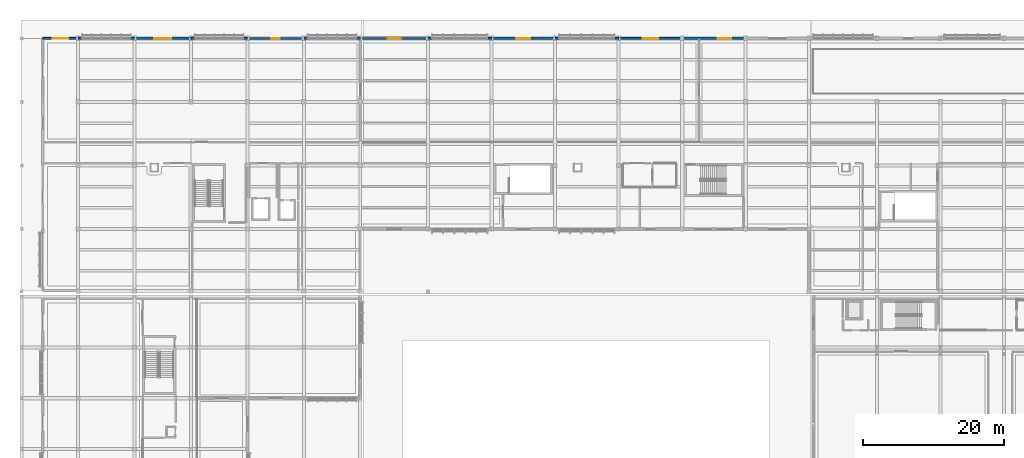
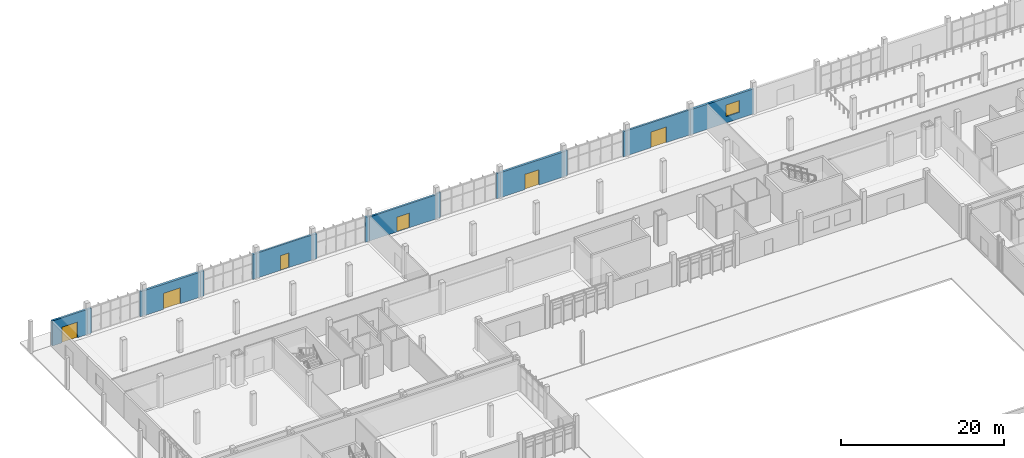
# One storey, part 130 of 151: 17 walls, 6 doors, 1 window, 7 openings.
"""IFC4 building model written with IfcOpenShell, lengths in metres."""

from ifc_helpers import new_model, si_unit, direction, frame, frame_2d, origin, place, context, subcontext, project, spatial, rectangle, extrude, material, layer, layer_set, type_object, element, fill, save


model = new_model("IFC4")

# Units and contexts
model_context = context("Model", 3, precision=1e-05, world=origin(), true_north=direction((0.0, 1.0)))
body_context = subcontext(model_context, "Body", "Model", "MODEL_VIEW")
ifc_project = project(units=[si_unit("LENGTHUNIT", "METRE"), si_unit("AREAUNIT", "SQUARE_METRE"), si_unit("VOLUMEUNIT", "CUBIC_METRE"), si_unit("PLANEANGLEUNIT", "RADIAN"), si_unit("MASSUNIT", "GRAM", prefix="KILO")], contexts=[model_context])

# Site, building, storey
site_placement = place(None, origin())
site = spatial("IfcSite", under=ifc_project, at=site_placement, CompositionType="ELEMENT")
building_placement = place(site_placement, origin())
building = spatial("IfcBuilding", under=site, at=building_placement, Name="Chiffa Square Polytechnic", CompositionType="ELEMENT")
storey_placement = place(building_placement, origin())
storey = spatial("IfcBuildingStorey", under=building, at=storey_placement, Name="L00", CompositionType="ELEMENT", Elevation=0.0)

# Wall, opening, door
ifc_material_1 = material(Name="Precast concrete C40/50", Category="concrete")
ifc_layer_1 = layer(ifc_material_1, 0.260009765625, Name="Precast concrete C40/50")
ifc_layer_set_1 = layer_set([ifc_layer_1], Name="Precast concrete C40/50")
wall_type_1 = type_object("IfcWallType", Name="WL-EXT-PC260", PredefinedType="SOLIDWALL", material=ifc_layer_set_1)
wall_1_placement = place(storey_placement, frame((93.60009765625, 130.800048828125, 0.0), z_axis=(0.0, 0.0, 1.0), x_axis=(-1.0, 0.0, 0.0)))
wall_1 = element("IfcWall", 1, at=wall_1_placement, inside=storey, type_object=wall_type_1, Name="Exterior wall WE-V5-L00-0242", PredefinedType="SOLIDWALL", context=body_context, shape_type="SweptSolid", body=[
    extrude(rectangle(XDim=9.0, YDim=0.260009765625, at=frame_2d((4.5, 0.0))), origin(), (0.0, 0.0, 1.0), 3.7548828125),
])
opening_1_placement = place(wall_1_placement, frame((3.39990234375, 0.0, 0.0)))
opening_1 = element("IfcOpeningElement", 2, at=opening_1_placement, cuts=wall_1, Name="Opening DE-L00-051", PredefinedType="OPENING", context=body_context, shape_type="SweptSolid", body=[
    extrude(rectangle(XDim=2.199951171875, YDim=2.35009765625, at=frame_2d((1.10009765625, 1.175048828125))), frame((0.0, 0.14013671875, 0.0), z_axis=(0.0, -1.0, 0.0), x_axis=(1.0, 0.0, 0.0)), (0.0, 0.0, 1.0), 0.280029296875),
])
ifc_material_2 = material(Name="Aluminium and laminated safety glass", Category="aluminium")
door_type_1 = type_object("IfcDoorType", Name="DR-EXIT-DBL-2200", OperationType="DOUBLE_DOOR_SINGLE_SWING", PredefinedType="DOOR", material=ifc_material_2)
door_1_placement = place(opening_1_placement, origin())
door_1 = element("IfcDoor", 3, at=door_1_placement, inside=storey, type_object=door_type_1, Name="Exterior door DE-L00-051", OperationType="DOUBLE_DOOR_SINGLE_SWING", OverallHeight=2.35009765625, OverallWidth=2.199951171875, PredefinedType="DOOR", context=body_context, shape_type="SweptSolid", body=[
    extrude(rectangle(XDim=2.199951171875, YDim=2.35009765625, at=frame_2d((1.10009765625, 1.175048828125))), frame((0.0, 0.02490234375, 0.0), z_axis=(0.0, -1.0, 0.0), x_axis=(1.0, 0.0, 0.0)), (0.0, 0.0, 1.0), 0.050048828125),
])
fill(opening_1, door_1)

# Walls
wall_2_placement = place(storey_placement, frame((66.60009765625, 130.800048828125, 0.0), z_axis=(0.0, 0.0, 1.0), x_axis=(-1.0, 0.0, 0.0)))
element("IfcWall", 4, at=wall_2_placement, inside=storey, type_object=wall_type_1, Name="Facade column pier V5-L00-0245L", PredefinedType="SOLIDWALL", context=body_context, shape_type="SweptSolid", body=[
    extrude(rectangle(XDim=0.5400390625, YDim=0.260009765625, at=frame_2d((0.27001953125, 0.0))), origin(), (0.0, 0.0, 1.0), 3.7548828125),
])
wall_3_placement = place(storey_placement, frame((58.139892578125, 130.800048828125, 0.0), z_axis=(0.0, 0.0, 1.0), x_axis=(-1.0, 0.0, 0.0)))
element("IfcWall", 5, at=wall_3_placement, inside=storey, type_object=wall_type_1, Name="Facade column pier V5-L00-0245R", PredefinedType="SOLIDWALL", context=body_context, shape_type="SweptSolid", body=[
    extrude(rectangle(XDim=0.539794921875, YDim=0.260009765625, at=frame_2d((0.27001953125, 0.0))), origin(), (0.0, 0.0, 1.0), 3.7548828125),
])

# Wall, opening, door
wall_4_placement = place(storey_placement, frame((40.0, 130.800048828125, 0.0), z_axis=(0.0, 0.0, 1.0), x_axis=(-1.0, 0.0, 0.0)))
wall_4 = element("IfcWall", 6, at=wall_4_placement, inside=storey, type_object=wall_type_1, Name="Exterior wall WE-V5-L00-0248", PredefinedType="SOLIDWALL", context=body_context, shape_type="SweptSolid", body=[
    extrude(rectangle(XDim=8.0, YDim=0.260009765625, at=frame_2d((4.0, 0.0))), origin(), (0.0, 0.0, 1.0), 3.7548828125),
])
opening_2_placement = place(wall_4_placement, frame((3.39990234375, 0.0, 0.0)))
opening_2 = element("IfcOpeningElement", 7, at=opening_2_placement, cuts=wall_4, Name="Opening DE-L00-054", PredefinedType="OPENING", context=body_context, shape_type="SweptSolid", body=[
    extrude(rectangle(XDim=1.199951171875, YDim=2.199951171875, at=frame_2d((0.60009765625, 1.10009765625))), frame((0.0, 0.14013671875, 0.0), z_axis=(0.0, -1.0, 0.0), x_axis=(1.0, 0.0, 0.0)), (0.0, 0.0, 1.0), 0.280029296875),
])
ifc_material_3 = material(Name="Painted galvanized steel", Category="steel")
door_type_2 = type_object("IfcDoorType", Name="DR-EXT-SVC-1200", OperationType="NOTDEFINED", PredefinedType="DOOR", material=ifc_material_3)
door_2_placement = place(opening_2_placement, origin())
door_2 = element("IfcDoor", 8, at=door_2_placement, inside=storey, type_object=door_type_2, Name="Exterior door DE-L00-054", OperationType="SINGLE_SWING_LEFT", OverallHeight=2.199951171875, OverallWidth=1.199951171875, PredefinedType="DOOR", context=body_context, shape_type="SweptSolid", body=[
    extrude(rectangle(XDim=1.199951171875, YDim=2.199951171875, at=frame_2d((0.60009765625, 1.10009765625))), frame((0.0, 0.02490234375, 0.0), z_axis=(0.0, -1.0, 0.0), x_axis=(1.0, 0.0, 0.0)), (0.0, 0.0, 1.0), 0.050048828125),
])
fill(opening_2, door_2)

# Walls
for number, where, z_axis, x_axis, name in (
    (9, (16.0, 130.800048828125, 0.0), (0.0, 0.0, 1.0), (-1.0, 0.0, 0.0), "Facade column pier V5-L00-0251L"),
    (10, (8.5400390625, 130.800048828125, 0.0), (0.0, 0.0, 1.0), (-1.0, 0.0, 0.0), "Facade column pier V5-L00-0251R"),
):
    element("IfcWall", number, at=place(storey_placement, frame(where, z_axis=z_axis, x_axis=x_axis)), inside=storey, type_object=wall_type_1, Name=name, PredefinedType="SOLIDWALL", context=body_context, shape_type="SweptSolid", body=[
        extrude(rectangle(XDim=0.5400390625, YDim=0.260009765625, at=frame_2d((0.27001953125, 0.0))), origin(), (0.0, 0.0, 1.0), 3.7548828125),
    ])
ifc_layer_2 = layer(ifc_material_1, 0.280029296875, Name="Precast concrete C40/50")
ifc_layer_set_2 = layer_set([ifc_layer_2], Name="Precast concrete C40/50")
wall_type_2 = type_object("IfcWallType", Name="WL-EXT-PC280", PredefinedType="SOLIDWALL", material=ifc_layer_set_2)
wall_5_placement = place(storey_placement, frame((84.60009765625, 130.800048828125, 0.0), z_axis=(0.0, 0.0, 1.0), x_axis=(-1.0, 0.0, 0.0)))
element("IfcWall", 11, at=wall_5_placement, inside=storey, type_object=wall_type_2, Name="Facade column pier V5-L00-0243L", PredefinedType="SOLIDWALL", context=body_context, shape_type="SweptSolid", body=[
    extrude(rectangle(XDim=0.5400390625, YDim=0.280029296875, at=frame_2d((0.27001953125, 0.0))), origin(), (0.0, 0.0, 1.0), 3.7548828125),
])
wall_6_placement = place(storey_placement, frame((76.139892578125, 130.800048828125, 0.0), z_axis=(0.0, 0.0, 1.0), x_axis=(-1.0, 0.0, 0.0)))
element("IfcWall", 12, at=wall_6_placement, inside=storey, type_object=wall_type_2, Name="Facade column pier V5-L00-0243R", PredefinedType="SOLIDWALL", context=body_context, shape_type="SweptSolid", body=[
    extrude(rectangle(XDim=0.539794921875, YDim=0.280029296875, at=frame_2d((0.27001953125, 0.0))), origin(), (0.0, 0.0, 1.0), 3.7548828125),
])

# Wall, opening, door
wall_7_placement = place(storey_placement, frame((57.60009765625, 130.800048828125, 0.0), z_axis=(0.0, 0.0, 1.0), x_axis=(-1.0, 0.0, 0.0)))
wall_7 = element("IfcWall", 13, at=wall_7_placement, inside=storey, type_object=wall_type_2, Name="Exterior wall WE-V5-L00-0246", PredefinedType="SOLIDWALL", context=body_context, shape_type="SweptSolid", body=[
    extrude(rectangle(XDim=9.60009765625, YDim=0.280029296875, at=frame_2d((4.800048828125, 0.0))), origin(), (0.0, 0.0, 1.0), 3.60498046875),
])
opening_3_placement = place(wall_7_placement, frame((3.89990234375, 0.0, 0.0)))
opening_3 = element("IfcOpeningElement", 14, at=opening_3_placement, cuts=wall_7, Name="Opening DE-L00-053", PredefinedType="OPENING", context=body_context, shape_type="SweptSolid", body=[
    extrude(rectangle(XDim=1.800048828125, YDim=2.199951171875, at=frame_2d((0.89990234375, 1.10009765625))), frame((0.0, 0.14990234375, 0.0), z_axis=(0.0, -1.0, 0.0), x_axis=(1.0, 0.0, 0.0)), (0.0, 0.0, 1.0), 0.300048828125),
])
door_type_3 = type_object("IfcDoorType", Name="DR-EXIT-DBL-1800", OperationType="DOUBLE_DOOR_SINGLE_SWING", PredefinedType="DOOR", material=ifc_material_3)
door_3_placement = place(opening_3_placement, origin())
door_3 = element("IfcDoor", 15, at=door_3_placement, inside=storey, type_object=door_type_3, Name="Exterior door DE-L00-053", OperationType="DOUBLE_DOOR_SINGLE_SWING", OverallHeight=2.199951171875, OverallWidth=1.800048828125, PredefinedType="DOOR", context=body_context, shape_type="SweptSolid", body=[
    extrude(rectangle(XDim=1.800048828125, YDim=2.199951171875, at=frame_2d((0.89990234375, 1.10009765625))), frame((0.0, 0.02490234375, 0.0), z_axis=(0.0, -1.0, 0.0), x_axis=(1.0, 0.0, 0.0)), (0.0, 0.0, 1.0), 0.050048828125),
])
fill(opening_3, door_3)

# Walls
for number, where, z_axis, x_axis, name in (
    (16, (32.0, 130.800048828125, 0.0), (0.0, 0.0, 1.0), (-1.0, 0.0, 0.0), "Facade column pier V5-L00-0249L"),
    (17, (24.5400390625, 130.800048828125, 0.0), (0.0, 0.0, 1.0), (-1.0, 0.0, 0.0), "Facade column pier V5-L00-0249R"),
):
    element("IfcWall", number, at=place(storey_placement, frame(where, z_axis=z_axis, x_axis=x_axis)), inside=storey, type_object=wall_type_2, Name=name, PredefinedType="SOLIDWALL", context=body_context, shape_type="SweptSolid", body=[
        extrude(rectangle(XDim=0.5400390625, YDim=0.280029296875, at=frame_2d((0.27001953125, 0.0))), origin(), (0.0, 0.0, 1.0), 3.7548828125),
    ])

# Wall, opening, door
wall_8_placement = place(storey_placement, frame((8.0, 130.800048828125, 0.0), z_axis=(0.0, 0.0, 1.0), x_axis=(-1.0, 0.0, 0.0)))
wall_8 = element("IfcWall", 18, at=wall_8_placement, inside=storey, type_object=wall_type_2, Name="Exterior wall WE-V5-L00-0252", PredefinedType="SOLIDWALL", context=body_context, shape_type="SweptSolid", body=[
    extrude(rectangle(XDim=5.0, YDim=0.280029296875, at=frame_2d((2.5, 0.0))), origin(), (0.0, 0.0, 1.0), 3.7548828125),
])
opening_4_placement = place(wall_8_placement, frame((1.39990234375, 0.0, 0.0)))
opening_4 = element("IfcOpeningElement", 19, at=opening_4_placement, cuts=wall_8, Name="Opening DE-L00-056", PredefinedType="OPENING", context=body_context, shape_type="SweptSolid", body=[
    extrude(rectangle(XDim=2.199951171875, YDim=2.35009765625, at=frame_2d((1.10009765625, 1.175048828125))), frame((0.0, 0.14990234375, 0.0), z_axis=(0.0, -1.0, 0.0), x_axis=(1.0, 0.0, 0.0)), (0.0, 0.0, 1.0), 0.300048828125),
])
door_4_placement = place(opening_4_placement, origin())
door_4 = element("IfcDoor", 20, at=door_4_placement, inside=storey, type_object=door_type_1, Name="Exterior door DE-L00-056", OperationType="DOUBLE_DOOR_SINGLE_SWING", OverallHeight=2.35009765625, OverallWidth=2.199951171875, PredefinedType="DOOR", context=body_context, shape_type="SweptSolid", body=[
    extrude(rectangle(XDim=2.199951171875, YDim=2.35009765625, at=frame_2d((1.10009765625, 1.175048828125))), frame((0.0, 0.02490234375, 0.0), z_axis=(0.0, -1.0, 0.0), x_axis=(1.0, 0.0, 0.0)), (0.0, 0.0, 1.0), 0.050048828125),
])
fill(opening_4, door_4)

# Wall, opening, window
ifc_layer_3 = layer(ifc_material_1, 0.320068359375, Name="Precast concrete C40/50")
ifc_layer_set_3 = layer_set([ifc_layer_3], Name="Precast concrete C40/50")
wall_type_3 = type_object("IfcWallType", Name="WL-EXT-PC320", PredefinedType="SOLIDWALL", material=ifc_layer_set_3)
wall_9_placement = place(storey_placement, frame((102.60009765625, 130.800048828125, 0.0), z_axis=(0.0, 0.0, 1.0), x_axis=(-1.0, 0.0, 0.0)))
wall_9 = element("IfcWall", 21, at=wall_9_placement, inside=storey, type_object=wall_type_3, Name="Exterior wall WE-V5-L00-0241", PredefinedType="SOLIDWALL", context=body_context, shape_type="SweptSolid", body=[
    extrude(rectangle(XDim=9.0, YDim=0.320068359375, at=frame_2d((4.5, 0.0))), origin(), (0.0, 0.0, 1.0), 3.7548828125),
])
opening_5_placement = place(wall_9_placement, frame((2.02490234375, 0.0, 0.949951171875)))
opening_5 = element("IfcOpeningElement", 22, at=opening_5_placement, cuts=wall_9, Name="Opening W-04", PredefinedType="OPENING", context=body_context, shape_type="SweptSolid", body=[
    extrude(rectangle(XDim=1.949951171875, YDim=1.75, at=frame_2d((0.97509765625, 0.875))), frame((0.0, 0.169921875, 0.0), z_axis=(0.0, -1.0, 0.0), x_axis=(1.0, 0.0, 0.0)), (0.0, 0.0, 1.0), 0.340087890625),
])
ifc_material_4 = material(Name="Double glazing in thermally broken aluminium frame", Category="aluminium")
window_type = type_object("IfcWindowType", Name="WIN-LAB-1950X1750", PartitioningType="DOUBLE_PANEL_VERTICAL", PredefinedType="WINDOW", material=ifc_material_4)
window_placement = place(opening_5_placement, origin())
window = element("IfcWindow", 23, at=window_placement, inside=storey, type_object=window_type, Name="Facade window WN-L00-0150", OverallHeight=1.75, OverallWidth=1.949951171875, PartitioningType="DOUBLE_PANEL_VERTICAL", PredefinedType="WINDOW", context=body_context, shape_type="SweptSolid", body=[
    extrude(rectangle(XDim=1.949951171875, YDim=1.75, at=frame_2d((0.97509765625, 0.875))), frame((0.0, 0.030029296875, 0.0), z_axis=(0.0, -1.0, 0.0), x_axis=(1.0, 0.0, 0.0)), (0.0, 0.0, 1.0), 0.06005859375),
])
fill(opening_5, window)

# Wall, opening, door
wall_10_placement = place(storey_placement, frame((75.60009765625, 130.800048828125, 0.0), z_axis=(0.0, 0.0, 1.0), x_axis=(-1.0, 0.0, 0.0)))
wall_10 = element("IfcWall", 24, at=wall_10_placement, inside=storey, type_object=wall_type_3, Name="Exterior wall WE-V5-L00-0244", PredefinedType="SOLIDWALL", context=body_context, shape_type="SweptSolid", body=[
    extrude(rectangle(XDim=9.0, YDim=0.320068359375, at=frame_2d((4.5, 0.0))), origin(), (0.0, 0.0, 1.0), 3.7548828125),
])
opening_6_placement = place(wall_10_placement, frame((3.5, 0.0, 0.0)))
opening_6 = element("IfcOpeningElement", 25, at=opening_6_placement, cuts=wall_10, Name="Opening DE-L00-052", PredefinedType="OPENING", context=body_context, shape_type="SweptSolid", body=[
    extrude(rectangle(XDim=2.0, YDim=2.300048828125, at=frame_2d((1.0, 1.14990234375))), frame((0.0, 0.169921875, 0.0), z_axis=(0.0, -1.0, 0.0), x_axis=(1.0, 0.0, 0.0)), (0.0, 0.0, 1.0), 0.340087890625),
])
door_type_4 = type_object("IfcDoorType", Name="DR-EXIT-DBL-2000", OperationType="DOUBLE_DOOR_SINGLE_SWING", PredefinedType="DOOR", material=ifc_material_2)
door_5_placement = place(opening_6_placement, origin())
door_5 = element("IfcDoor", 26, at=door_5_placement, inside=storey, type_object=door_type_4, Name="Exterior door DE-L00-052", OperationType="DOUBLE_DOOR_SINGLE_SWING", OverallHeight=2.300048828125, OverallWidth=2.0, PredefinedType="DOOR", context=body_context, shape_type="SweptSolid", body=[
    extrude(rectangle(XDim=2.0, YDim=2.300048828125, at=frame_2d((1.0, 1.14990234375))), frame((0.0, 0.02490234375, 0.0), z_axis=(0.0, -1.0, 0.0), x_axis=(1.0, 0.0, 0.0)), (0.0, 0.0, 1.0), 0.050048828125),
])
fill(opening_6, door_5)

# Walls
for number, where, z_axis, x_axis, name in (
    (27, (48.0, 130.800048828125, 0.0), (0.0, 0.0, 1.0), (-1.0, 0.0, 0.0), "Facade column pier V5-L00-0247L"),
    (28, (40.5400390625, 130.800048828125, 0.0), (0.0, 0.0, 1.0), (-1.0, 0.0, 0.0), "Facade column pier V5-L00-0247R"),
):
    element("IfcWall", number, at=place(storey_placement, frame(where, z_axis=z_axis, x_axis=x_axis)), inside=storey, type_object=wall_type_3, Name=name, PredefinedType="SOLIDWALL", context=body_context, shape_type="SweptSolid", body=[
        extrude(rectangle(XDim=0.5400390625, YDim=0.320068359375, at=frame_2d((0.27001953125, 0.0))), origin(), (0.0, 0.0, 1.0), 3.7548828125),
    ])

# Wall, opening, door
wall_11_placement = place(storey_placement, frame((24.0, 130.800048828125, 0.0), z_axis=(0.0, 0.0, 1.0), x_axis=(-1.0, 0.0, 0.0)))
wall_11 = element("IfcWall", 29, at=wall_11_placement, inside=storey, type_object=wall_type_3, Name="Exterior wall WE-V5-L00-0250", PredefinedType="SOLIDWALL", context=body_context, shape_type="SweptSolid", body=[
    extrude(rectangle(XDim=8.0, YDim=0.320068359375, at=frame_2d((4.0, 0.0))), origin(), (0.0, 0.0, 1.0), 3.7548828125),
])
opening_7_placement = place(wall_11_placement, frame((2.800048828125, 0.0, 0.0)))
opening_7 = element("IfcOpeningElement", 30, at=opening_7_placement, cuts=wall_11, Name="Opening DE-L00-055", PredefinedType="OPENING", context=body_context, shape_type="SweptSolid", body=[
    extrude(rectangle(XDim=2.39990234375, YDim=2.39990234375, at=frame_2d((1.199951171875, 1.199951171875))), frame((0.0, 0.169921875, 0.0), z_axis=(0.0, -1.0, 0.0), x_axis=(1.0, 0.0, 0.0)), (0.0, 0.0, 1.0), 0.340087890625),
])
door_type_5 = type_object("IfcDoorType", Name="DR-EXIT-DBL-2400", OperationType="DOUBLE_DOOR_SINGLE_SWING", PredefinedType="DOOR", material=ifc_material_2)
door_6_placement = place(opening_7_placement, origin())
door_6 = element("IfcDoor", 31, at=door_6_placement, inside=storey, type_object=door_type_5, Name="Exterior door DE-L00-055", OperationType="DOUBLE_DOOR_SINGLE_SWING", OverallHeight=2.39990234375, OverallWidth=2.39990234375, PredefinedType="DOOR", context=body_context, shape_type="SweptSolid", body=[
    extrude(rectangle(XDim=2.39990234375, YDim=2.39990234375, at=frame_2d((1.199951171875, 1.199951171875))), frame((0.0, 0.02490234375, 0.0), z_axis=(0.0, -1.0, 0.0), x_axis=(1.0, 0.0, 0.0)), (0.0, 0.0, 1.0), 0.050048828125),
])
fill(opening_7, door_6)

save(model, "model.ifc")
